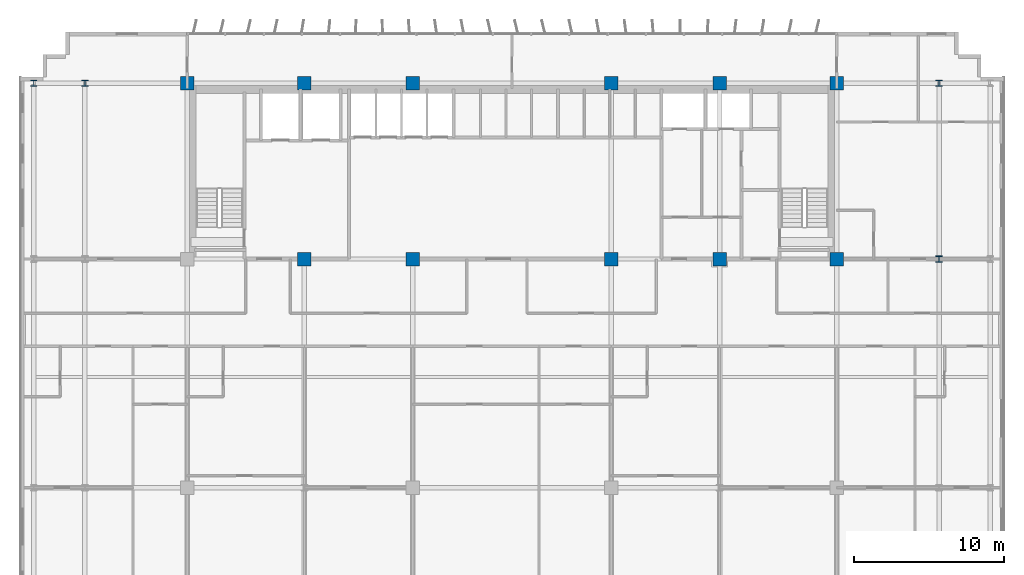
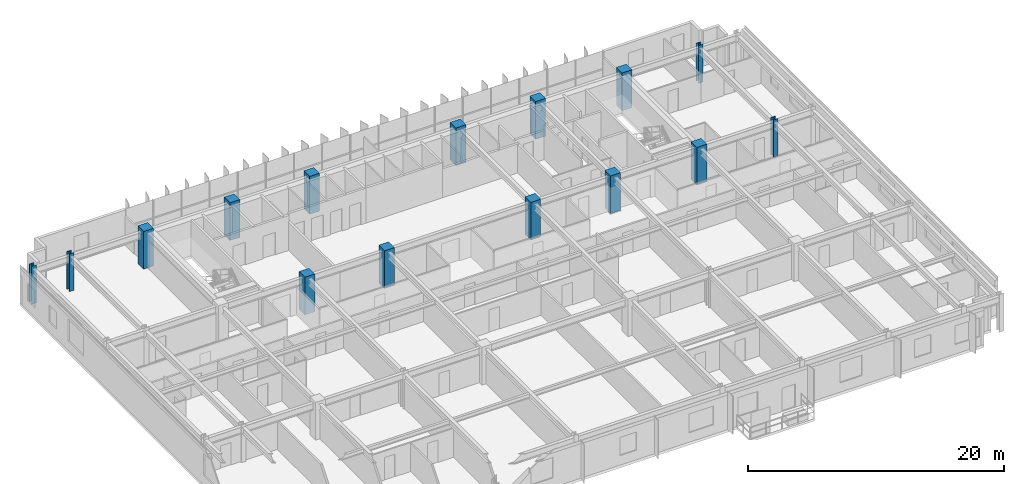
# One storey, part 2 of 22: 15 columns.
"""IFC4 building model written with IfcOpenShell, lengths in metres."""

from ifc_helpers import new_model, si_unit, direction, frame, origin, origin_2d, place, context, subcontext, project, spatial, rectangle, i_section, extrude, source, transform, mapped, material, material_profile, profile_set, type_object, element, save


model = new_model("IFC4")

# Units and contexts
model_context = context("Model", 3, precision=1e-05, world=origin(), true_north=direction((0.0, 1.0)))
body_context = subcontext(model_context, "Body", "Model", "MODEL_VIEW")
ifc_project = project(units=[si_unit("LENGTHUNIT", "METRE"), si_unit("AREAUNIT", "SQUARE_METRE"), si_unit("VOLUMEUNIT", "CUBIC_METRE"), si_unit("PLANEANGLEUNIT", "RADIAN"), si_unit("MASSUNIT", "GRAM", prefix="KILO")], contexts=[model_context])

# Site, building, storey
site_placement = place(None, origin())
site = spatial("IfcSite", under=ifc_project, at=site_placement, CompositionType="ELEMENT")
building_placement = place(site_placement, origin())
building = spatial("IfcBuilding", under=site, at=building_placement, Name="Trelvane Seafront Commons", CompositionType="ELEMENT")
storey_placement = place(building_placement, frame((0.0, 0.0, 45.10009765625)))
storey = spatial("IfcBuildingStorey", under=building, at=storey_placement, Name="L11", CompositionType="ELEMENT", Elevation=45.10009765625)

# Columns
ifc_material_1 = material(Name="Steel SM355 (S355)", Category="steel")
ifc_material_profile_1 = material_profile(ifc_material_1, i_section(OverallWidth=0.419921875, OverallDepth=0.419921875, WebThickness=0.02587890625, FlangeThickness=0.0400390625, at=origin_2d()), Name="HD-420x420x26x40")
ifc_profile_set_1 = profile_set([ifc_material_profile_1], Name="Steel SM355 (S355)")
column_type_1 = type_object("IfcColumnType", Name="STR-COL-HD420", PredefinedType="COLUMN", material=ifc_profile_set_1)
shared_shape_1 = source(origin(), body_context, "Body", "SweptSolid", [
    extrude(i_section(OverallWidth=0.419921875, OverallDepth=0.419921875, WebThickness=0.02587890625, FlangeThickness=0.0400390625, at=origin_2d()), origin(), (0.0, 0.0, 1.0), 3.599853515625),
])
for number, where, z_axis, x_axis, name in (
    (1, (5.39990234375, 45.10009765625, 0.0), (0.0, 0.0, 1.0), (1.0, 0.0, 0.0), "L11 Column TC-CN5.4"),
    (2, (8.800048828125, 45.10009765625, 0.0), (0.0, 0.0, 1.0), (1.0, 0.0, 0.0), "L11 Column TC-CN8.8"),
    (3, (65.60009765625, 33.39990234375, 0.0), (0.0, 0.0, 1.0), (1.0, 0.0, 0.0), "L11 Column TC-CS65.6"),
    (4, (65.60009765625, 45.10009765625, 0.0), (0.0, 0.0, 1.0), (1.0, 0.0, 0.0), "L11 Column TC-CN65.6"),
):
    element("IfcColumn", number, at=place(storey_placement, frame(where, z_axis=z_axis, x_axis=x_axis)), inside=storey, type_object=column_type_1, Name=name, PredefinedType="COLUMN", context=body_context, shape_type="MappedRepresentation", body=[
        mapped(shared_shape_1, transform((0.0, 0.0, 0.0), x_axis=(1.0, 0.0, 0.0), y_axis=(0.0, 1.0, 0.0), z_axis=(0.0, 0.0, 1.0), scale=1.0)),
    ])
ifc_material_2 = material(Name="Concrete C60/75", Category="concrete")
ifc_material_profile_2 = material_profile(ifc_material_2, rectangle(XDim=0.89990234375, YDim=0.89990234375, at=origin_2d()), Name="RC-900x900")
ifc_profile_set_2 = profile_set([ifc_material_profile_2], Name="Concrete C60/75")
column_type_2 = type_object("IfcColumnType", Name="STR-COL-RC900", PredefinedType="COLUMN", material=ifc_profile_set_2)
shared_shape_2 = source(origin(), body_context, "Body", "SweptSolid", [
    extrude(rectangle(XDim=0.89990234375, YDim=0.89990234375, at=origin_2d()), origin(), (0.0, 0.0, 1.0), 3.599853515625),
])
for number, where, z_axis, x_axis, name in (
    (5, (15.60009765625, 45.10009765625, 0.0), (0.0, 0.0, 1.0), (1.0, 0.0, 0.0), "L11 Column TC-CN15.6"),
    (6, (23.39990234375, 33.39990234375, 0.0), (0.0, 0.0, 1.0), (1.0, 0.0, 0.0), "L11 Column TC-CS23.4"),
    (7, (23.39990234375, 45.10009765625, 0.0), (0.0, 0.0, 1.0), (1.0, 0.0, 0.0), "L11 Column TC-CN23.4"),
    (8, (30.60009765625, 33.39990234375, 0.0), (0.0, 0.0, 1.0), (1.0, 0.0, 0.0), "L11 Column TC-CS30.6"),
    (9, (30.60009765625, 45.10009765625, 0.0), (0.0, 0.0, 1.0), (1.0, 0.0, 0.0), "L11 Column TC-CN30.6"),
    (10, (43.800048828125, 33.39990234375, 0.0), (0.0, 0.0, 1.0), (1.0, 0.0, 0.0), "L11 Column TC-CS43.8"),
    (11, (43.800048828125, 45.10009765625, 0.0), (0.0, 0.0, 1.0), (1.0, 0.0, 0.0), "L11 Column TC-CN43.8"),
    (12, (51.0, 33.39990234375, 0.0), (0.0, 0.0, 1.0), (1.0, 0.0, 0.0), "L11 Column TC-CS51.0"),
    (13, (51.0, 45.10009765625, 0.0), (0.0, 0.0, 1.0), (1.0, 0.0, 0.0), "L11 Column TC-CN51.0"),
    (14, (58.800048828125, 33.39990234375, 0.0), (0.0, 0.0, 1.0), (1.0, 0.0, 0.0), "L11 Column TC-CS58.8"),
    (15, (58.800048828125, 45.10009765625, 0.0), (0.0, 0.0, 1.0), (1.0, 0.0, 0.0), "L11 Column TC-CN58.8"),
):
    element("IfcColumn", number, at=place(storey_placement, frame(where, z_axis=z_axis, x_axis=x_axis)), inside=storey, type_object=column_type_2, Name=name, PredefinedType="COLUMN", context=body_context, shape_type="MappedRepresentation", body=[
        mapped(shared_shape_2, transform((0.0, 0.0, 0.0), x_axis=(1.0, 0.0, 0.0), y_axis=(0.0, 1.0, 0.0), z_axis=(0.0, 0.0, 1.0), scale=1.0)),
    ])

save(model, "model.ifc")
